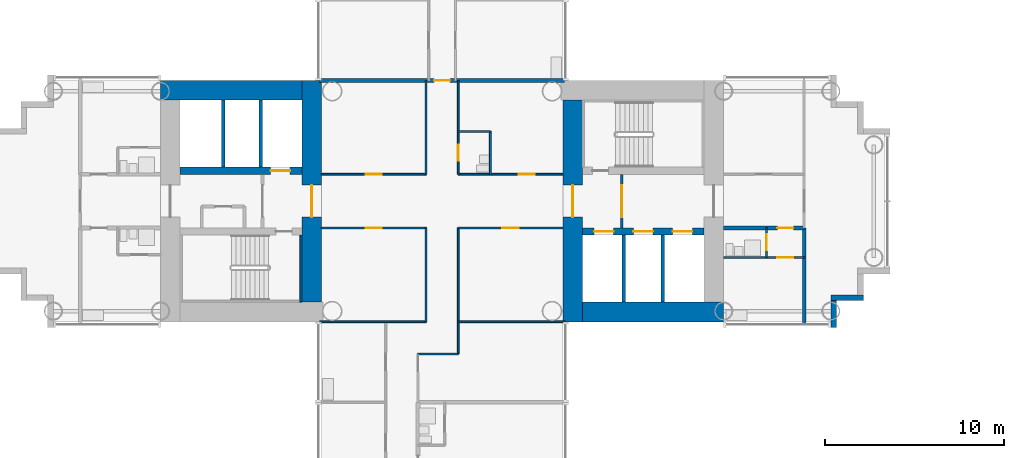
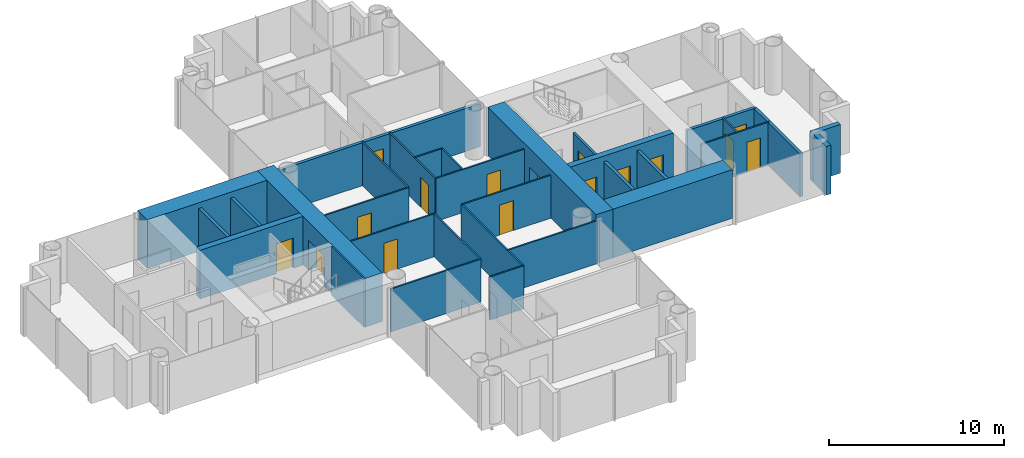
# One storey, part 10 of 21: 32 walls, 16 doors, 16 openings.
"""IFC4 building model written with IfcOpenShell, lengths in metres."""

import ifcopenshell
import ifcopenshell.guid

model = None  # the IFC model being written
_history = None  # IfcOwnerHistory: only IFC2X3 demands one
_inside = {}  # id of a spatial element -> (the spatial element, [elements in it])
_under = {}  # id of a project, library or spatial element -> (it, [spatial elements below it])
_declared = {}  # id of a project -> (the project, [libraries it declares])
_typed = {}  # id of a type object -> (the type object, [elements of that type])
_made_of = {}  # id of a material, layer set ... -> (it, [elements and type objects made of it])


def new_model(schema):
    """Start an empty IFC model of exactly this schema.

    Asked for "IFC4X3", IfcOpenShell would pick the latest addendum, in which some entities
    have other attributes; the version numbers below select the first issue.
    IFC2X3 requires an IfcOwnerHistory on every rooted entity: one is made here for all.
    """
    global model, _history
    if schema == "IFC4X3":
        model = ifcopenshell.file(schema_version=(4, 3, 0, 0))
    else:
        model = ifcopenshell.file(schema=schema)
    _inside.clear()
    _under.clear()
    _declared.clear()
    _typed.clear()
    _made_of.clear()
    _history = None
    if model.schema == "IFC2X3":
        org = make("IfcOrganization", Name="unknown")
        user = make(
            "IfcPersonAndOrganization",
            ThePerson=make("IfcPerson", FamilyName="unknown"),
            TheOrganization=org,
        )
        app = make(
            "IfcApplication",
            ApplicationDeveloper=org,
            Version="unknown",
            ApplicationFullName="unknown",
            ApplicationIdentifier="unknown",
        )
        _history = make(
            "IfcOwnerHistory",
            OwningUser=user,
            OwningApplication=app,
            ChangeAction="ADDED",
            CreationDate=0,
        )
    return model


def make(cls, **values):
    """One entity of the class cls with the attributes given. An attribute that is None is left unset."""
    return model.create_entity(
        cls, **{name: value for name, value in values.items() if value is not None}
    )


def rooted(cls, **values):
    """An entity with a GlobalId (a new one), such as an element, a storey or a relation."""
    return make(cls, GlobalId=ifcopenshell.guid.new(), OwnerHistory=_history, **values)


def si_unit(unit_type, name, prefix=None):
    """IfcSIUnit, for example si_unit("LENGTHUNIT", "METRE", prefix="MILLI")."""
    return make("IfcSIUnit", UnitType=unit_type, Prefix=prefix, Name=name)


def assignment(units):
    """IfcUnitAssignment: the units of a project."""
    return None if units is None else make("IfcUnitAssignment", Units=units)


def point(xyz):
    """IfcCartesianPoint."""
    return None if xyz is None else make("IfcCartesianPoint", Coordinates=xyz)


def direction(xyz):
    """IfcDirection."""
    return None if xyz is None else make("IfcDirection", DirectionRatios=xyz)


def frame(location, z_axis=None, x_axis=None):
    """IfcAxis2Placement3D, a coordinate frame: its origin and axes. An axis left out is left unset."""
    return make(
        "IfcAxis2Placement3D",
        Location=point(location),
        Axis=direction(z_axis),
        RefDirection=direction(x_axis),
    )


def frame_2d(location, x_axis=None):
    """IfcAxis2Placement2D, a coordinate frame in the plane: its origin and x axis."""
    return make(
        "IfcAxis2Placement2D", Location=point(location), RefDirection=direction(x_axis)
    )


def origin():
    """The frame at (0, 0, 0) with its axes left unset."""
    return frame((0.0, 0.0, 0.0))


def place(relative_to, where):
    """IfcLocalPlacement: puts the frame where relative to a parent placement (None: the world)."""
    return make(
        "IfcLocalPlacement", PlacementRelTo=relative_to, RelativePlacement=where
    )


def context(
    kind, dimensions, precision=None, world=None, true_north=None, identifier=None
):
    """IfcGeometricRepresentationContext, for example the 3D "Model" context."""
    return make(
        "IfcGeometricRepresentationContext",
        ContextIdentifier=identifier,
        ContextType=kind,
        CoordinateSpaceDimension=dimensions,
        Precision=precision,
        WorldCoordinateSystem=world,
        TrueNorth=true_north,
    )


def subcontext(parent, identifier, kind, view, scale=None):
    """IfcGeometricRepresentationSubContext, for example "Body" below "Model"."""
    return make(
        "IfcGeometricRepresentationSubContext",
        ContextIdentifier=identifier,
        ContextType=kind,
        ParentContext=parent,
        TargetScale=scale,
        TargetView=view,
    )


def project(units=None, contexts=None):
    """IfcProject with its units and contexts."""
    return rooted(
        "IfcProject",
        Name="project",
        RepresentationContexts=contexts,
        UnitsInContext=assignment(units),
    )


def spatial(cls, under=None, at=None, **own):
    """A site, building, storey or space (cls), placed at a placement, below another one or the project."""
    s = rooted(cls, ObjectPlacement=at, **own)
    if under is not None:
        _under.setdefault(under.id(), (under, []))[1].append(s)
    return s


def profile(cls, at=None, kind="AREA", **sizes):
    """A parametric profile (cls). Its sizes go by their IFC names, for example OverallWidth=200.0."""
    return make(cls, ProfileType=kind, Position=at, **sizes)


def rectangle(**sizes):
    """IfcRectangleProfileDef."""
    return profile("IfcRectangleProfileDef", **sizes)


def extrude(swept, where, along, depth):
    """IfcExtrudedAreaSolid: the profile swept, set in the frame where, extruded along a direction by depth."""
    return make(
        "IfcExtrudedAreaSolid",
        SweptArea=swept,
        Position=where,
        ExtrudedDirection=direction(along),
        Depth=depth,
    )


def shape(context_of_items, identifier, shape_type, items):
    """IfcShapeRepresentation: the items that make up one representation, for example the "Body"."""
    return make(
        "IfcShapeRepresentation",
        ContextOfItems=context_of_items,
        RepresentationIdentifier=identifier,
        RepresentationType=shape_type,
        Items=items,
    )


def material(Name=None, Category=None):
    """IfcMaterial."""
    return make("IfcMaterial", Name=Name, Category=Category)


def layer(
    of_material, thickness, ventilated=None, Name=None, Category=None, Priority=None
):
    """IfcMaterialLayer: one layer of a wall or slab, of a material (None: an air gap)."""
    return make(
        "IfcMaterialLayer",
        Material=of_material,
        LayerThickness=thickness,
        IsVentilated=ventilated,
        Name=Name,
        Category=Category,
        Priority=Priority,
    )


def layer_set(layers, Name=None):
    """IfcMaterialLayerSet."""
    return make("IfcMaterialLayerSet", MaterialLayers=layers, LayerSetName=Name)


def made_of(thing, what):
    """Note that an element or type object is made of a material, layer set ...; save() writes the relation."""
    if what is not None:
        _made_of.setdefault(what.id(), (what, []))[1].append(thing)
    return thing


def type_object(cls, material=None, **own):
    """A type object (cls), such as IfcWallType, which elements share."""
    return made_of(rooted(cls, **own), material)


def element(
    cls,
    number,
    at=None,
    inside=None,
    cuts=None,
    type_object=None,
    material=None,
    context=None,
    identifier="Body",
    shape_type=None,
    held_by="IfcProductDefinitionShape",
    body=None,
    shapes=None,
    **own,
):
    """One element of the class cls, such as IfcWall. Its Tag is "e" and its number.

    at: its placement. inside: the storey or other place that contains it. cuts: it is an
    opening in that element (IfcRelVoidsElement). A single representation is given by context,
    identifier, shape_type and body (its items); several are given by shapes. held_by: the class
    of the entity that holds the representations. save() writes the other relations.
    """
    e = rooted(cls, Tag="e%d" % number, ObjectPlacement=at, **own)
    if body is not None:
        shapes = [shape(context, identifier, shape_type, body)]
    if shapes is not None:
        e.Representation = make(held_by, Representations=shapes)
    if inside is not None:
        _inside.setdefault(inside.id(), (inside, []))[1].append(e)
    if cuts is not None:
        rooted(
            "IfcRelVoidsElement", RelatingBuildingElement=cuts, RelatedOpeningElement=e
        )
    if type_object is not None:
        _typed.setdefault(type_object.id(), (type_object, []))[1].append(e)
    return made_of(e, material)


def fill(opening, filler):
    """IfcRelFillsElement: the door or window that sits in an opening."""
    return rooted(
        "IfcRelFillsElement",
        RelatingOpeningElement=opening,
        RelatedBuildingElement=filler,
    )


def aggregate(whole, parts):
    """IfcRelAggregates: a whole, such as a stair, and the parts it consists of."""
    return rooted("IfcRelAggregates", RelatingObject=whole, RelatedObjects=parts)


def save(model, path):
    """Write the relations noted so far, then the file.

    IfcRelAggregates (storeys below a building ...), IfcRelContainedInSpatialStructure (elements
    in a storey), IfcRelDefinesByType, IfcRelAssociatesMaterial and IfcRelDeclares: one each for
    every whole, place, type object, material and project.
    """
    for whole, parts in _under.values():
        aggregate(whole, parts)
    for where, things in _inside.values():
        rooted(
            "IfcRelContainedInSpatialStructure",
            RelatedElements=things,
            RelatingStructure=where,
        )
    for kind, things in _typed.values():
        rooted("IfcRelDefinesByType", RelatedObjects=things, RelatingType=kind)
    for what, things in _made_of.values():
        rooted("IfcRelAssociatesMaterial", RelatedObjects=things, RelatingMaterial=what)
    for by, libraries in _declared.values():
        rooted("IfcRelDeclares", RelatingContext=by, RelatedDefinitions=libraries)
    model.write(path)


model = new_model("IFC4")

# Units and contexts
model_context = context("Model", 3, precision=1e-05, world=origin(), true_north=direction((0.0, 1.0)))
body_context = subcontext(model_context, "Body", "Model", "MODEL_VIEW")
ifc_project = project(units=[si_unit("LENGTHUNIT", "METRE"), si_unit("AREAUNIT", "SQUARE_METRE"), si_unit("VOLUMEUNIT", "CUBIC_METRE"), si_unit("PLANEANGLEUNIT", "RADIAN"), si_unit("MASSUNIT", "GRAM", prefix="KILO")], contexts=[model_context])

# Site, building, storey
site_placement = place(None, origin())
site = spatial("IfcSite", under=ifc_project, at=site_placement, CompositionType="ELEMENT")
building_placement = place(site_placement, origin())
building = spatial("IfcBuilding", under=site, at=building_placement, Name="Ipe Terrace Towers", CompositionType="ELEMENT")
storey_placement = place(building_placement, frame((0.0, 0.0, 27.89990234375)))
storey = spatial("IfcBuildingStorey", under=building, at=storey_placement, Name="L06", CompositionType="ELEMENT", Elevation=27.89990234375)

# Walls
ifc_material_1 = material(Name="Concrete C40/50 with buff precast cladding", Category="concrete")
ifc_layer_1 = layer(ifc_material_1, 0.320068359375)
ifc_layer_set_1 = layer_set([ifc_layer_1], Name="BUFF CLADDING WALL 320")
wall_type_1 = type_object("IfcWallType", Name="BUFF CLADDING WALL 320", PredefinedType="STANDARD", material=ifc_layer_set_1)
wall_1_placement = place(storey_placement, frame((-14.090087890625, -7.070068359375, -0.2998046875), z_axis=(0.0, 0.0, 1.0), x_axis=(0.0, 1.0, 0.0)))
element("IfcWall", 1, at=wall_1_placement, inside=storey, type_object=wall_type_1, Name="T1-W-L06-21a wall", PredefinedType="STANDARD", context=body_context, shape_type="SweptSolid", body=[
    extrude(rectangle(XDim=1.5, YDim=0.320068359375, at=frame_2d((0.75, 0.0))), origin(), (0.0, 0.0, 1.0), 3.39990234375),
])
wall_2_placement = place(storey_placement, frame((-14.25, -5.409912109375, -0.2998046875), z_axis=(0.0, 0.0, 1.0), x_axis=(1.0, 0.0, 0.0)))
element("IfcWall", 2, at=wall_2_placement, inside=storey, type_object=wall_type_1, Name="T1-W-L06-22a wall", PredefinedType="STANDARD", context=body_context, shape_type="SweptSolid", body=[
    extrude(rectangle(XDim=1.820068359375, YDim=0.320068359375, at=frame_2d((0.91015625, 0.0))), origin(), (0.0, 0.0, 1.0), 3.39990234375),
])
ifc_material_2 = material(Name="Gypsum board partition", Category="plasterboard")
ifc_layer_2 = layer(ifc_material_2, 0.10009765625)
ifc_layer_set_2 = layer_set([ifc_layer_2], Name="Gypsum board partition 100 mm")
wall_type_2 = type_object("IfcWallType", Name="Gypsum board partition 100 mm", PredefinedType="PARTITIONING", material=ifc_layer_set_2)
for number, where, z_axis, x_axis, name in (
    (3, (-36.89990234375, -6.75, 0.0), (0.0, 0.0, 1.0), (0.0, 1.0, 0.0), "Gypsum board partition T1 L06 W10"),
    (4, (-36.89990234375, 1.5, 0.0), (0.0, 0.0, 1.0), (0.0, 1.0, 0.0), "Gypsum board partition T1 L06 W11"),
):
    element("IfcWall", number, at=place(storey_placement, frame(where, z_axis=z_axis, x_axis=x_axis)), inside=storey, type_object=wall_type_2, Name=name, PredefinedType="PARTITIONING", context=body_context, shape_type="SweptSolid", body=[
        extrude(rectangle(XDim=5.25, YDim=0.10009765625, at=frame_2d((2.625, 0.0))), origin(), (0.0, 0.0, 1.0), 3.0),
    ])
wall_3_placement = place(storey_placement, frame((-35.10009765625, -8.550048828125, 0.0), z_axis=(0.0, 0.0, 1.0), x_axis=(0.0, 1.0, 0.0)))
element("IfcWall", 5, at=wall_3_placement, inside=storey, type_object=wall_type_2, Name="Gypsum board partition T1 L06 W15", PredefinedType="PARTITIONING", context=body_context, shape_type="SweptSolid", body=[
    extrude(rectangle(XDim=7.050048828125, YDim=0.10009765625, at=frame_2d((3.52490234375, 0.0))), origin(), (0.0, 0.0, 1.0), 3.0),
])

# Wall, opening, door
wall_4_placement = place(storey_placement, frame((-35.10009765625, 1.5, 0.0), z_axis=(0.0, 0.0, 1.0), x_axis=(0.0, 1.0, 0.0)))
wall_4 = element("IfcWall", 6, at=wall_4_placement, inside=storey, type_object=wall_type_2, Name="Gypsum board partition T1 L06 W16", PredefinedType="PARTITIONING", context=body_context, shape_type="SweptSolid", body=[
    extrude(rectangle(XDim=5.25, YDim=0.10009765625, at=frame_2d((2.625, 0.0))), origin(), (0.0, 0.0, 1.0), 3.0),
])
opening_1_placement = place(wall_4_placement, frame((0.75, 0.0, 0.0)))
opening_1 = element("IfcOpeningElement", 7, at=opening_1_placement, cuts=wall_4, Name="Opening T1-Z1A-01", PredefinedType="OPENING", context=body_context, shape_type="SweptSolid", body=[
    extrude(rectangle(XDim=0.89990234375, YDim=2.10009765625, at=frame_2d((0.449951171875, 1.050048828125))), frame((0.0, 0.06005859375, 0.0), z_axis=(0.0, -1.0, 0.0), x_axis=(1.0, 0.0, 0.0)), (0.0, 0.0, 1.0), 0.1201171875),
])
ifc_material_3 = material(Name="Timber door leaf", Category="wood")
door_type_1 = type_object("IfcDoorType", Name="Bathroom door 900 x 2100", OperationType="NOTDEFINED", PredefinedType="DOOR", material=ifc_material_3)
door_1_placement = place(opening_1_placement, origin())
door_1 = element("IfcDoor", 8, at=door_1_placement, inside=storey, type_object=door_type_1, Name="Bathroom door T1-Z1A-01", OperationType="SINGLE_SWING_LEFT", OverallHeight=2.10009765625, OverallWidth=0.89990234375, PredefinedType="DOOR", context=body_context, shape_type="SweptSolid", body=[
    extrude(rectangle(XDim=0.89990234375, YDim=2.10009765625, at=frame_2d((0.449951171875, 1.050048828125))), frame((0.0, 0.02490234375, 0.0), z_axis=(0.0, -1.0, 0.0), x_axis=(1.0, 0.0, 0.0)), (0.0, 0.0, 1.0), 0.050048828125),
])
fill(opening_1, door_1)

# Wall
wall_5_placement = place(storey_placement, frame((-33.300048828125, 1.5, 0.0), z_axis=(0.0, 0.0, 1.0), x_axis=(0.0, 1.0, 0.0)))
element("IfcWall", 9, at=wall_5_placement, inside=storey, type_object=wall_type_2, Name="Gypsum board partition T1 L06 W18", PredefinedType="PARTITIONING", context=body_context, shape_type="SweptSolid", body=[
    extrude(rectangle(XDim=2.39990234375, YDim=0.10009765625, at=frame_2d((1.199951171875, 0.0))), origin(), (0.0, 0.0, 1.0), 3.0),
])

# Wall, opening, door
wall_6_placement = place(storey_placement, frame((-17.85009765625, -3.14990234375, 0.0), z_axis=(0.0, 0.0, 1.0), x_axis=(0.0, 1.0, 0.0)))
wall_6 = element("IfcWall", 10, at=wall_6_placement, inside=storey, type_object=wall_type_2, Name="Gypsum board partition T1 L06 W19", PredefinedType="PARTITIONING", context=body_context, shape_type="SweptSolid", body=[
    extrude(rectangle(XDim=1.64990234375, YDim=0.10009765625, at=frame_2d((0.824951171875, 0.0))), origin(), (0.0, 0.0, 1.0), 3.0),
])
opening_2_placement = place(wall_6_placement, frame((0.39990234375, 0.0, 0.0)))
opening_2 = element("IfcOpeningElement", 11, at=opening_2_placement, cuts=wall_6, Name="Opening T1-Z1A-25", PredefinedType="OPENING", context=body_context, shape_type="SweptSolid", body=[
    extrude(rectangle(XDim=0.89990234375, YDim=2.10009765625, at=frame_2d((0.449951171875, 1.050048828125))), frame((0.0, 0.06005859375, 0.0), z_axis=(0.0, -1.0, 0.0), x_axis=(1.0, 0.0, 0.0)), (0.0, 0.0, 1.0), 0.1201171875),
])
door_2_placement = place(opening_2_placement, origin())
door_2 = element("IfcDoor", 12, at=door_2_placement, inside=storey, type_object=door_type_1, Name="Bathroom door T1-Z1A-25", OperationType="SINGLE_SWING_LEFT", OverallHeight=2.10009765625, OverallWidth=0.89990234375, PredefinedType="DOOR", context=body_context, shape_type="SweptSolid", body=[
    extrude(rectangle(XDim=0.89990234375, YDim=2.10009765625, at=frame_2d((0.449951171875, 1.050048828125))), frame((0.0, 0.02490234375, 0.0), z_axis=(0.0, -1.0, 0.0), x_axis=(1.0, 0.0, 0.0)), (0.0, 0.0, 1.0), 0.050048828125),
])
fill(opening_2, door_2)

# Walls
wall_7_placement = place(storey_placement, frame((-37.35009765625, -8.550048828125, 0.0), z_axis=(0.0, 0.0, 1.0), x_axis=(1.0, 0.0, 0.0)))
element("IfcWall", 13, at=wall_7_placement, inside=storey, type_object=wall_type_2, Name="Gypsum board partition T1 L06 W27", PredefinedType="PARTITIONING", context=body_context, shape_type="SweptSolid", body=[
    extrude(rectangle(XDim=2.25, YDim=0.10009765625, at=frame_2d((1.125, 0.0))), origin(), (0.0, 0.0, 1.0), 3.0),
])
for number, where, z_axis, x_axis, name in (
    (14, (-42.85009765625, -6.75, 0.0), (0.0, 0.0, 1.0), (1.0, 0.0, 0.0), "Gypsum board partition T1 L06 W28"),
    (15, (-35.10009765625, -6.75, 0.0), (0.0, 0.0, 1.0), (1.0, 0.0, 0.0), "Gypsum board partition T1 L06 W29"),
):
    element("IfcWall", number, at=place(storey_placement, frame(where, z_axis=z_axis, x_axis=x_axis)), inside=storey, type_object=wall_type_2, Name=name, PredefinedType="PARTITIONING", context=body_context, shape_type="SweptSolid", body=[
        extrude(rectangle(XDim=5.9501953125, YDim=0.10009765625, at=frame_2d((2.97509765625, 0.0))), origin(), (0.0, 0.0, 1.0), 3.0),
    ])

# Wall, opening, door
wall_8_placement = place(storey_placement, frame((-20.25, -3.14990234375, 0.0), z_axis=(0.0, 0.0, 1.0), x_axis=(1.0, 0.0, 0.0)))
wall_8 = element("IfcWall", 16, at=wall_8_placement, inside=storey, type_object=wall_type_2, Name="Gypsum board partition T1 L06 W30", PredefinedType="PARTITIONING", context=body_context, shape_type="SweptSolid", body=[
    extrude(rectangle(XDim=4.5, YDim=0.10009765625, at=frame_2d((2.25, 0.0))), origin(), (0.0, 0.0, 1.0), 3.0),
])
opening_3_placement = place(wall_8_placement, frame((3.0, 0.0, 0.0)))
opening_3 = element("IfcOpeningElement", 17, at=opening_3_placement, cuts=wall_8, Name="Opening T1-Z1A-24", PredefinedType="OPENING", context=body_context, shape_type="SweptSolid", body=[
    extrude(rectangle(XDim=0.89990234375, YDim=2.10009765625, at=frame_2d((0.449951171875, 1.050048828125))), frame((0.0, 0.06005859375, 0.0), z_axis=(0.0, -1.0, 0.0), x_axis=(1.0, 0.0, 0.0)), (0.0, 0.0, 1.0), 0.1201171875),
])
ifc_material_4 = material(Name="Timber door leaf", Category="wood")
door_type_2 = type_object("IfcDoorType", Name="Bedroom door 900 x 2100", OperationType="NOTDEFINED", PredefinedType="DOOR", material=ifc_material_4)
door_3_placement = place(opening_3_placement, origin())
door_3 = element("IfcDoor", 18, at=door_3_placement, inside=storey, type_object=door_type_2, Name="Bedroom door T1-Z1A-24", OperationType="SINGLE_SWING_RIGHT", OverallHeight=2.10009765625, OverallWidth=0.89990234375, PredefinedType="DOOR", context=body_context, shape_type="SweptSolid", body=[
    extrude(rectangle(XDim=0.89990234375, YDim=2.10009765625, at=frame_2d((0.449951171875, 1.050048828125))), frame((0.0, 0.02490234375, 0.0), z_axis=(0.0, -1.0, 0.0), x_axis=(1.0, 0.0, 0.0)), (0.0, 0.0, 1.0), 0.050048828125),
])
fill(opening_3, door_3)

wall_9_placement = place(storey_placement, frame((-42.75, -1.5, 0.0), z_axis=(0.0, 0.0, 1.0), x_axis=(1.0, 0.0, 0.0)))
wall_9 = element("IfcWall", 19, at=wall_9_placement, inside=storey, type_object=wall_type_2, Name="Gypsum board partition T1 L06 W32", PredefinedType="PARTITIONING", context=body_context, shape_type="SweptSolid", body=[
    extrude(rectangle(XDim=5.85009765625, YDim=0.10009765625, at=frame_2d((2.925048828125, 0.0))), origin(), (0.0, 0.0, 1.0), 3.0),
])
opening_4_placement = place(wall_9_placement, frame((2.47509765625, 0.0, 0.0)))
opening_4 = element("IfcOpeningElement", 20, at=opening_4_placement, cuts=wall_9, Name="Opening T1-Z1A-04", PredefinedType="OPENING", context=body_context, shape_type="SweptSolid", body=[
    extrude(rectangle(XDim=0.89990234375, YDim=2.10009765625, at=frame_2d((0.449951171875, 1.050048828125))), frame((0.0, 0.06005859375, 0.0), z_axis=(0.0, -1.0, 0.0), x_axis=(1.0, 0.0, 0.0)), (0.0, 0.0, 1.0), 0.1201171875),
])
ifc_material_5 = material(Name="Timber door leaf", Category="wood")
door_type_3 = type_object("IfcDoorType", Name="Lounge door 900 x 2100", OperationType="NOTDEFINED", PredefinedType="DOOR", material=ifc_material_5)
door_4_placement = place(opening_4_placement, origin())
door_4 = element("IfcDoor", 21, at=door_4_placement, inside=storey, type_object=door_type_3, Name="Lounge door T1-Z1A-04", OperationType="SINGLE_SWING_LEFT", OverallHeight=2.10009765625, OverallWidth=0.89990234375, PredefinedType="DOOR", context=body_context, shape_type="SweptSolid", body=[
    extrude(rectangle(XDim=0.89990234375, YDim=2.10009765625, at=frame_2d((0.449951171875, 1.050048828125))), frame((0.0, 0.02490234375, 0.0), z_axis=(0.0, -1.0, 0.0), x_axis=(1.0, 0.0, 0.0)), (0.0, 0.0, 1.0), 0.050048828125),
])
fill(opening_4, door_4)

wall_10_placement = place(storey_placement, frame((-35.10009765625, -1.5, 0.0), z_axis=(0.0, 0.0, 1.0), x_axis=(1.0, 0.0, 0.0)))
wall_10 = element("IfcWall", 22, at=wall_10_placement, inside=storey, type_object=wall_type_2, Name="Gypsum board partition T1 L06 W33", PredefinedType="PARTITIONING", context=body_context, shape_type="SweptSolid", body=[
    extrude(rectangle(XDim=5.85009765625, YDim=0.10009765625, at=frame_2d((2.925048828125, 0.0))), origin(), (0.0, 0.0, 1.0), 3.0),
])
opening_5_placement = place(wall_10_placement, frame((2.47509765625, 0.0, 0.0)))
opening_5 = element("IfcOpeningElement", 23, at=opening_5_placement, cuts=wall_10, Name="Opening T1-Z1A-05", PredefinedType="OPENING", context=body_context, shape_type="SweptSolid", body=[
    extrude(rectangle(XDim=0.89990234375, YDim=2.10009765625, at=frame_2d((0.449951171875, 1.050048828125))), frame((0.0, 0.06005859375, 0.0), z_axis=(0.0, -1.0, 0.0), x_axis=(1.0, 0.0, 0.0)), (0.0, 0.0, 1.0), 0.1201171875),
])
door_5_placement = place(opening_5_placement, origin())
door_5 = element("IfcDoor", 24, at=door_5_placement, inside=storey, type_object=door_type_3, Name="Lounge door T1-Z1A-05", OperationType="SINGLE_SWING_RIGHT", OverallHeight=2.10009765625, OverallWidth=0.89990234375, PredefinedType="DOOR", context=body_context, shape_type="SweptSolid", body=[
    extrude(rectangle(XDim=0.89990234375, YDim=2.10009765625, at=frame_2d((0.449951171875, 1.050048828125))), frame((0.0, 0.02490234375, 0.0), z_axis=(0.0, -1.0, 0.0), x_axis=(1.0, 0.0, 0.0)), (0.0, 0.0, 1.0), 0.050048828125),
])
fill(opening_5, door_5)

wall_11_placement = place(storey_placement, frame((-42.75, 1.5, 0.0), z_axis=(0.0, 0.0, 1.0), x_axis=(1.0, 0.0, 0.0)))
wall_11 = element("IfcWall", 25, at=wall_11_placement, inside=storey, type_object=wall_type_2, Name="Gypsum board partition T1 L06 W36", PredefinedType="PARTITIONING", context=body_context, shape_type="SweptSolid", body=[
    extrude(rectangle(XDim=5.85009765625, YDim=0.10009765625, at=frame_2d((2.925048828125, 0.0))), origin(), (0.0, 0.0, 1.0), 3.0),
])
opening_6_placement = place(wall_11_placement, frame((2.47509765625, 0.0, 0.0)))
opening_6 = element("IfcOpeningElement", 26, at=opening_6_placement, cuts=wall_11, Name="Opening T1-Z1A-03", PredefinedType="OPENING", context=body_context, shape_type="SweptSolid", body=[
    extrude(rectangle(XDim=0.89990234375, YDim=2.10009765625, at=frame_2d((0.449951171875, 1.050048828125))), frame((0.0, 0.06005859375, 0.0), z_axis=(0.0, -1.0, 0.0), x_axis=(1.0, 0.0, 0.0)), (0.0, 0.0, 1.0), 0.1201171875),
])
door_6_placement = place(opening_6_placement, origin())
door_6 = element("IfcDoor", 27, at=door_6_placement, inside=storey, type_object=door_type_3, Name="Lounge door T1-Z1A-03", OperationType="SINGLE_SWING_RIGHT", OverallHeight=2.10009765625, OverallWidth=0.89990234375, PredefinedType="DOOR", context=body_context, shape_type="SweptSolid", body=[
    extrude(rectangle(XDim=0.89990234375, YDim=2.10009765625, at=frame_2d((0.449951171875, 1.050048828125))), frame((0.0, 0.02490234375, 0.0), z_axis=(0.0, -1.0, 0.0), x_axis=(1.0, 0.0, 0.0)), (0.0, 0.0, 1.0), 0.050048828125),
])
fill(opening_6, door_6)

wall_12_placement = place(storey_placement, frame((-35.10009765625, 1.5, 0.0), z_axis=(0.0, 0.0, 1.0), x_axis=(1.0, 0.0, 0.0)))
wall_12 = element("IfcWall", 28, at=wall_12_placement, inside=storey, type_object=wall_type_2, Name="Gypsum board partition T1 L06 W37", PredefinedType="PARTITIONING", context=body_context, shape_type="SweptSolid", body=[
    extrude(rectangle(XDim=5.85009765625, YDim=0.10009765625, at=frame_2d((2.925048828125, 0.0))), origin(), (0.0, 0.0, 1.0), 3.0),
])
opening_7_placement = place(wall_12_placement, frame((3.375, 0.0, 0.0)))
opening_7 = element("IfcOpeningElement", 29, at=opening_7_placement, cuts=wall_12, Name="Opening T1-Z1A-02", PredefinedType="OPENING", context=body_context, shape_type="SweptSolid", body=[
    extrude(rectangle(XDim=0.89990234375, YDim=2.10009765625, at=frame_2d((0.449951171875, 1.050048828125))), frame((0.0, 0.06005859375, 0.0), z_axis=(0.0, -1.0, 0.0), x_axis=(1.0, 0.0, 0.0)), (0.0, 0.0, 1.0), 0.1201171875),
])
door_7_placement = place(opening_7_placement, origin())
door_7 = element("IfcDoor", 30, at=door_7_placement, inside=storey, type_object=door_type_3, Name="Lounge door T1-Z1A-02", OperationType="SINGLE_SWING_LEFT", OverallHeight=2.10009765625, OverallWidth=0.89990234375, PredefinedType="DOOR", context=body_context, shape_type="SweptSolid", body=[
    extrude(rectangle(XDim=0.89990234375, YDim=2.10009765625, at=frame_2d((0.449951171875, 1.050048828125))), frame((0.0, 0.02490234375, 0.0), z_axis=(0.0, -1.0, 0.0), x_axis=(1.0, 0.0, 0.0)), (0.0, 0.0, 1.0), 0.050048828125),
])
fill(opening_7, door_7)

# Wall
wall_13_placement = place(storey_placement, frame((-35.10009765625, 3.89990234375, 0.0), z_axis=(0.0, 0.0, 1.0), x_axis=(1.0, 0.0, 0.0)))
element("IfcWall", 31, at=wall_13_placement, inside=storey, type_object=wall_type_2, Name="Gypsum board partition T1 L06 W41", PredefinedType="PARTITIONING", context=body_context, shape_type="SweptSolid", body=[
    extrude(rectangle(XDim=1.800048828125, YDim=0.10009765625, at=frame_2d((0.89990234375, 0.0))), origin(), (0.0, 0.0, 1.0), 3.0),
])

# Wall, opening, door
ifc_material_6 = material(Name="Gypsum board partition", Category="plasterboard")
ifc_layer_3 = layer(ifc_material_6, 0.14990234375)
ifc_layer_set_3 = layer_set([ifc_layer_3], Name="Gypsum board partition 150 mm")
wall_type_3 = type_object("IfcWallType", Name="Gypsum board partition 150 mm", PredefinedType="PARTITIONING", material=ifc_layer_set_3)
wall_14_placement = place(storey_placement, frame((-25.949951171875, -1.5, 0.0), z_axis=(0.0, 0.0, 1.0), x_axis=(0.0, 1.0, 0.0)))
wall_14 = element("IfcWall", 32, at=wall_14_placement, inside=storey, type_object=wall_type_3, Name="Gypsum board partition T1 L06 t1c1-lobby-wall", PredefinedType="PARTITIONING", context=body_context, shape_type="SweptSolid", body=[
    extrude(rectangle(XDim=3.0, YDim=0.14990234375, at=frame_2d((1.5, 0.0))), origin(), (0.0, 0.0, 1.0), 3.0),
])
opening_8_placement = place(wall_14_placement, frame((0.60009765625, 0.0, 0.0)))
opening_8 = element("IfcOpeningElement", 33, at=opening_8_placement, cuts=wall_14, Name="Opening T1C1-VD", PredefinedType="OPENING", context=body_context, shape_type="SweptSolid", body=[
    extrude(rectangle(XDim=1.800048828125, YDim=2.10009765625, at=frame_2d((0.89990234375, 1.050048828125))), frame((0.0, 0.0849609375, 0.0), z_axis=(0.0, -1.0, 0.0), x_axis=(1.0, 0.0, 0.0)), (0.0, 0.0, 1.0), 0.169921875),
])
ifc_material_7 = material(Name="Fire-rated timber door leaf", Category="wood")
door_type_4 = type_object("IfcDoorType", Name="Lobby door 1800 x 2100 FD60", OperationType="NOTDEFINED", PredefinedType="DOOR", material=ifc_material_7)
door_8_placement = place(opening_8_placement, origin())
door_8 = element("IfcDoor", 34, at=door_8_placement, inside=storey, type_object=door_type_4, Name="Lobby door T1C1-VD", OperationType="SINGLE_SWING_LEFT", OverallHeight=2.10009765625, OverallWidth=1.800048828125, PredefinedType="DOOR", context=body_context, shape_type="SweptSolid", body=[
    extrude(rectangle(XDim=1.800048828125, YDim=2.10009765625, at=frame_2d((0.89990234375, 1.050048828125))), frame((0.0, 0.02490234375, 0.0), z_axis=(0.0, -1.0, 0.0), x_axis=(1.0, 0.0, 0.0)), (0.0, 0.0, 1.0), 0.050048828125),
])
fill(opening_8, door_8)

# Walls
ifc_material_8 = material(Name="Gypsum board party wall", Category="plasterboard")
ifc_layer_4 = layer(ifc_material_8, 0.199951171875)
ifc_layer_set_4 = layer_set([ifc_layer_4], Name="Gypsum board party wall 200 mm")
wall_type_4 = type_object("IfcWallType", Name="Gypsum board party wall 200 mm", PredefinedType="SOLIDWALL", material=ifc_layer_set_4)
for number, where, z_axis, x_axis, name in (
    (35, (-25.85009765625, -5.64990234375, 0.0), (0.0, 0.0, 1.0), (0.0, 1.0, 0.0), "Gypsum board party wall T1 L06 t1c1-shaft-div1"),
    (36, (-23.64990234375, -5.64990234375, 0.0), (0.0, 0.0, 1.0), (0.0, 1.0, 0.0), "Gypsum board party wall T1 L06 t1c1-shaft-div2"),
    (37, (-46.14990234375, 5.64990234375, 0.0), (0.0, 0.0, 1.0), (0.0, -1.0, 0.0), "Gypsum board party wall T1 L06 t1c2-shaft-div1"),
    (38, (-48.25, 5.64990234375, 0.0), (0.0, 0.0, 1.0), (0.0, -1.0, 0.0), "Gypsum board party wall T1 L06 t1c2-shaft-div2"),
):
    element("IfcWall", number, at=place(storey_placement, frame(where, z_axis=z_axis, x_axis=x_axis)), inside=storey, type_object=wall_type_4, Name=name, PredefinedType="SOLIDWALL", context=body_context, shape_type="SweptSolid", body=[
        extrude(rectangle(XDim=3.75, YDim=0.199951171875, at=frame_2d((1.875, 0.0))), origin(), (0.0, 0.0, 1.0), 3.0),
    ])
wall_15_placement = place(storey_placement, frame((-15.75, -6.85009765625, 0.0), z_axis=(0.0, 0.0, 1.0), x_axis=(0.0, 1.0, 0.0)))
element("IfcWall", 39, at=wall_15_placement, inside=storey, type_object=wall_type_4, Name="Gypsum board party wall T1 L06 W21", PredefinedType="SOLIDWALL", context=body_context, shape_type="SweptSolid", body=[
    extrude(rectangle(XDim=5.35009765625, YDim=0.199951171875, at=frame_2d((2.675048828125, 0.0))), origin(), (0.0, 0.0, 1.0), 3.0),
])

# Wall, opening, door
wall_16_placement = place(storey_placement, frame((-20.25, -1.5, 0.0), z_axis=(0.0, 0.0, 1.0), x_axis=(1.0, 0.0, 0.0)))
wall_16 = element("IfcWall", 40, at=wall_16_placement, inside=storey, type_object=wall_type_4, Name="Gypsum board party wall T1 L06 W35", PredefinedType="SOLIDWALL", context=body_context, shape_type="SweptSolid", body=[
    extrude(rectangle(XDim=4.5, YDim=0.199951171875, at=frame_2d((2.25, 0.0))), origin(), (0.0, 0.0, 1.0), 3.0),
])
opening_9_placement = place(wall_16_placement, frame((3.0, 0.0, 0.0)))
opening_9 = element("IfcOpeningElement", 41, at=opening_9_placement, cuts=wall_16, Name="Opening T1-Z1A-23", PredefinedType="OPENING", context=body_context, shape_type="SweptSolid", body=[
    extrude(rectangle(XDim=0.89990234375, YDim=2.10009765625, at=frame_2d((0.449951171875, 1.050048828125))), frame((0.0, 0.10986328125, 0.0), z_axis=(0.0, -1.0, 0.0), x_axis=(1.0, 0.0, 0.0)), (0.0, 0.0, 1.0), 0.219970703125),
])
ifc_material_9 = material(Name="Fire-rated timber door leaf", Category="wood")
door_type_5 = type_object("IfcDoorType", Name="Flat entrance door 900 x 2100 FD30S", OperationType="NOTDEFINED", PredefinedType="DOOR", material=ifc_material_9)
door_9_placement = place(opening_9_placement, origin())
door_9 = element("IfcDoor", 42, at=door_9_placement, inside=storey, type_object=door_type_5, Name="Flat entrance door T1-Z1A-23", OperationType="SINGLE_SWING_RIGHT", OverallHeight=2.10009765625, OverallWidth=0.89990234375, PredefinedType="DOOR", context=body_context, shape_type="SweptSolid", body=[
    extrude(rectangle(XDim=0.89990234375, YDim=2.10009765625, at=frame_2d((0.449951171875, 1.050048828125))), frame((0.0, 0.02490234375, 0.0), z_axis=(0.0, -1.0, 0.0), x_axis=(1.0, 0.0, 0.0)), (0.0, 0.0, 1.0), 0.050048828125),
])
fill(opening_9, door_9)

wall_17_placement = place(storey_placement, frame((-42.85009765625, 6.75, 0.0), z_axis=(0.0, 0.0, 1.0), x_axis=(1.0, 0.0, 0.0)))
wall_17 = element("IfcWall", 43, at=wall_17_placement, inside=storey, type_object=wall_type_4, Name="Gypsum board party wall T1 L06 W42", PredefinedType="SOLIDWALL", context=body_context, shape_type="SweptSolid", body=[
    extrude(rectangle(XDim=13.7001953125, YDim=0.199951171875, at=frame_2d((6.85009765625, 0.0))), origin(), (0.0, 0.0, 1.0), 3.0),
])
opening_10_placement = place(wall_17_placement, frame((6.39990234375, 0.0, 0.0)))
opening_10 = element("IfcOpeningElement", 44, at=opening_10_placement, cuts=wall_17, Name="Opening T1-Z1A-08", PredefinedType="OPENING", context=body_context, shape_type="SweptSolid", body=[
    extrude(rectangle(XDim=0.89990234375, YDim=2.10009765625, at=frame_2d((0.449951171875, 1.050048828125))), frame((0.0, 0.10986328125, 0.0), z_axis=(0.0, -1.0, 0.0), x_axis=(1.0, 0.0, 0.0)), (0.0, 0.0, 1.0), 0.219970703125),
])
door_10_placement = place(opening_10_placement, origin())
door_10 = element("IfcDoor", 45, at=door_10_placement, inside=storey, type_object=door_type_5, Name="Flat entrance door T1-Z1A-08", OperationType="SINGLE_SWING_LEFT", OverallHeight=2.10009765625, OverallWidth=0.89990234375, PredefinedType="DOOR", context=body_context, shape_type="SweptSolid", body=[
    extrude(rectangle(XDim=0.89990234375, YDim=2.10009765625, at=frame_2d((0.449951171875, 1.050048828125))), frame((0.0, 0.02490234375, 0.0), z_axis=(0.0, -1.0, 0.0), x_axis=(1.0, 0.0, 0.0)), (0.0, 0.0, 1.0), 0.050048828125),
])
fill(opening_10, door_10)

# Walls
ifc_material_10 = material(Name="Concrete C60/75", Category="concrete")
ifc_layer_5 = layer(ifc_material_10, 0.10009765625)
ifc_layer_set_5 = layer_set([ifc_layer_5], Name="RW100 CORE INFILL WALL 100 C60-75")
wall_type_5 = type_object("IfcWallType", Name="RW100 CORE INFILL WALL 100 C60-75", PredefinedType="SHEAR", material=ifc_layer_set_5)
wall_18_placement = place(storey_placement, frame((-43.89990234375, -1.89990234375, 0.0), z_axis=(0.0, 0.0, 1.0), x_axis=(0.0, -1.0, 0.0)))
element("IfcWall", 46, at=wall_18_placement, inside=storey, type_object=wall_type_5, Name="Core infill wall T1-C2-near", PredefinedType="SHEAR", context=body_context, shape_type="SweptSolid", body=[
    extrude(rectangle(XDim=3.75, YDim=0.10009765625, at=frame_2d((1.875, 0.0))), origin(), (0.0, 0.0, 1.0), 3.400146484375),
])
ifc_material_11 = material(Name="Concrete C60/75", Category="concrete")
ifc_layer_6 = layer(ifc_material_11, 1.10009765625)
ifc_layer_set_6 = layer_set([ifc_layer_6], Name="RW1100 CORE WALL 1100 C60-75")
wall_type_6 = type_object("IfcWallType", Name="RW1100 CORE WALL 1100 C60-75", PredefinedType="SHEAR", material=ifc_layer_set_6)
wall_19_placement = place(storey_placement, frame((-28.14990234375, -6.199951171875, 0.0), z_axis=(0.0, 0.0, 1.0), x_axis=(1.0, 0.0, 0.0)))
element("IfcWall", 47, at=wall_19_placement, inside=storey, type_object=wall_type_6, Name="Core wall T1-C1-Z1-W01", PredefinedType="SHEAR", context=body_context, shape_type="SweptSolid", body=[
    extrude(rectangle(XDim=7.89990234375, YDim=1.10009765625, at=frame_2d((3.949951171875, 0.0))), origin(), (0.0, 0.0, 1.0), 3.400146484375),
])

# Wall, opening, door
wall_20_placement = place(storey_placement, frame((-28.699951171875, 5.64990234375, 0.0), z_axis=(0.0, 0.0, 1.0), x_axis=(0.0, -1.0, 0.0)))
wall_20 = element("IfcWall", 48, at=wall_20_placement, inside=storey, type_object=wall_type_6, Name="Core wall T1-C1-Z1-W04", PredefinedType="SHEAR", context=body_context, shape_type="SweptSolid", body=[
    extrude(rectangle(XDim=12.39990234375, YDim=1.10009765625, at=frame_2d((6.199951171875, 0.0))), origin(), (0.0, 0.0, 1.0), 3.400146484375),
])
opening_11_placement = place(wall_20_placement, frame((4.75, 0.0, 0.0)))
opening_11 = element("IfcOpeningElement", 49, at=opening_11_placement, cuts=wall_20, Name="Opening T1C1-ND", PredefinedType="OPENING", context=body_context, shape_type="SweptSolid", body=[
    extrude(rectangle(XDim=1.800048828125, YDim=2.10009765625, at=frame_2d((0.89990234375, 1.050048828125))), frame((0.0, 0.56005859375, 0.0), z_axis=(0.0, -1.0, 0.0), x_axis=(1.0, 0.0, 0.0)), (0.0, 0.0, 1.0), 1.1201171875),
])
ifc_material_12 = material(Name="Fire-rated timber door leaf", Category="wood")
door_type_6 = type_object("IfcDoorType", Name="Fire door 1800 x 2100 FD30S", OperationType="NOTDEFINED", PredefinedType="DOOR", material=ifc_material_12)
door_11_placement = place(opening_11_placement, origin())
door_11 = element("IfcDoor", 50, at=door_11_placement, inside=storey, type_object=door_type_6, Name="Fire door T1C1-ND", OperationType="SINGLE_SWING_LEFT", OverallHeight=2.10009765625, OverallWidth=1.800048828125, PredefinedType="DOOR", context=body_context, shape_type="SweptSolid", body=[
    extrude(rectangle(XDim=1.800048828125, YDim=2.10009765625, at=frame_2d((0.89990234375, 1.050048828125))), frame((0.0, 0.02490234375, 0.0), z_axis=(0.0, -1.0, 0.0), x_axis=(1.0, 0.0, 0.0)), (0.0, 0.0, 1.0), 0.050048828125),
])
fill(opening_11, door_11)

wall_21_placement = place(storey_placement, frame((-43.300048828125, -5.64990234375, 0.0), z_axis=(0.0, 0.0, 1.0), x_axis=(0.0, 1.0, 0.0)))
wall_21 = element("IfcWall", 51, at=wall_21_placement, inside=storey, type_object=wall_type_6, Name="Core wall T1-C2-Z1-W02", PredefinedType="SHEAR", context=body_context, shape_type="SweptSolid", body=[
    extrude(rectangle(XDim=12.39990234375, YDim=1.10009765625, at=frame_2d((6.199951171875, 0.0))), origin(), (0.0, 0.0, 1.0), 3.400146484375),
])
opening_12_placement = place(wall_21_placement, frame((4.75, 0.0, 0.0)))
opening_12 = element("IfcOpeningElement", 52, at=opening_12_placement, cuts=wall_21, Name="Opening T1C2-ND", PredefinedType="OPENING", context=body_context, shape_type="SweptSolid", body=[
    extrude(rectangle(XDim=1.800048828125, YDim=2.10009765625, at=frame_2d((0.89990234375, 1.050048828125))), frame((0.0, 0.56005859375, 0.0), z_axis=(0.0, -1.0, 0.0), x_axis=(1.0, 0.0, 0.0)), (0.0, 0.0, 1.0), 1.1201171875),
])
door_12_placement = place(opening_12_placement, origin())
door_12 = element("IfcDoor", 53, at=door_12_placement, inside=storey, type_object=door_type_6, Name="Fire door T1C2-ND", OperationType="SINGLE_SWING_LEFT", OverallHeight=2.10009765625, OverallWidth=1.800048828125, PredefinedType="DOOR", context=body_context, shape_type="SweptSolid", body=[
    extrude(rectangle(XDim=1.800048828125, YDim=2.10009765625, at=frame_2d((0.89990234375, 1.050048828125))), frame((0.0, 0.02490234375, 0.0), z_axis=(0.0, -1.0, 0.0), x_axis=(1.0, 0.0, 0.0)), (0.0, 0.0, 1.0), 0.050048828125),
])
fill(opening_12, door_12)

# Wall
wall_22_placement = place(storey_placement, frame((-43.85009765625, 6.199951171875, 0.0), z_axis=(0.0, 0.0, 1.0), x_axis=(-1.0, 0.0, 0.0)))
element("IfcWall", 54, at=wall_22_placement, inside=storey, type_object=wall_type_6, Name="Core wall T1-C2-Z1-W03", PredefinedType="SHEAR", context=body_context, shape_type="SweptSolid", body=[
    extrude(rectangle(XDim=7.89990234375, YDim=1.10009765625, at=frame_2d((3.949951171875, 0.0))), origin(), (0.0, 0.0, 1.0), 3.400146484375),
])

# Wall, openings, doors
ifc_material_13 = material(Name="Concrete C60/75", Category="concrete")
ifc_layer_7 = layer(ifc_material_13, 0.39990234375)
ifc_layer_set_7 = layer_set([ifc_layer_7], Name="RW400 CORE SPINE WALL 400 C60-75")
wall_type_7 = type_object("IfcWallType", Name="RW400 CORE SPINE WALL 400 C60-75", PredefinedType="SHEAR", material=ifc_layer_set_7)
wall_23_placement = place(storey_placement, frame((-28.14990234375, -1.699951171875, 0.0), z_axis=(0.0, 0.0, 1.0), x_axis=(1.0, 0.0, 0.0)))
wall_23 = element("IfcWall", 55, at=wall_23_placement, inside=storey, type_object=wall_type_7, Name="Core spine wall T1-C1-Z1-SW1", PredefinedType="SHEAR", context=body_context, shape_type="SweptSolid", body=[
    extrude(rectangle(XDim=6.7998046875, YDim=0.39990234375, at=frame_2d((3.39990234375, 0.0))), origin(), (0.0, 0.0, 1.0), 3.400146484375),
])
opening_13_placement = place(wall_23_placement, frame((0.64990234375, 0.0, 0.0)))
opening_13 = element("IfcOpeningElement", 56, at=opening_13_placement, cuts=wall_23, Name="Opening T1C1-LD1", PredefinedType="OPENING", context=body_context, shape_type="SweptSolid", body=[
    extrude(rectangle(XDim=1.10009765625, YDim=2.10009765625, at=frame_2d((0.550048828125, 1.050048828125))), frame((0.0, 0.2099609375, 0.0), z_axis=(0.0, -1.0, 0.0), x_axis=(1.0, 0.0, 0.0)), (0.0, 0.0, 1.0), 0.419921875),
])
opening_14_placement = place(wall_23_placement, frame((2.85009765625, 0.0, 0.0)))
opening_14 = element("IfcOpeningElement", 57, at=opening_14_placement, cuts=wall_23, Name="Opening T1C1-LD2", PredefinedType="OPENING", context=body_context, shape_type="SweptSolid", body=[
    extrude(rectangle(XDim=1.10009765625, YDim=2.10009765625, at=frame_2d((0.550048828125, 1.050048828125))), frame((0.0, 0.2099609375, 0.0), z_axis=(0.0, -1.0, 0.0), x_axis=(1.0, 0.0, 0.0)), (0.0, 0.0, 1.0), 0.419921875),
])
opening_15_placement = place(wall_23_placement, frame((5.050048828125, 0.0, 0.0)))
opening_15 = element("IfcOpeningElement", 58, at=opening_15_placement, cuts=wall_23, Name="Opening T1C1-LD3", PredefinedType="OPENING", context=body_context, shape_type="SweptSolid", body=[
    extrude(rectangle(XDim=1.10009765625, YDim=2.10009765625, at=frame_2d((0.550048828125, 1.050048828125))), frame((0.0, 0.2099609375, 0.0), z_axis=(0.0, -1.0, 0.0), x_axis=(1.0, 0.0, 0.0)), (0.0, 0.0, 1.0), 0.419921875),
])
ifc_material_14 = material(Name="Fire-rated timber door leaf", Category="wood")
door_type_7 = type_object("IfcDoorType", Name="Sliding door 1100 x 2100 FD60", OperationType="SLIDING_TO_LEFT", PredefinedType="DOOR", material=ifc_material_14)
door_13_placement = place(opening_13_placement, origin())
door_13 = element("IfcDoor", 59, at=door_13_placement, inside=storey, type_object=door_type_7, Name="Sliding door T1C1-LD1", OperationType="SLIDING_TO_LEFT", OverallHeight=2.10009765625, OverallWidth=1.10009765625, PredefinedType="DOOR", context=body_context, shape_type="SweptSolid", body=[
    extrude(rectangle(XDim=1.10009765625, YDim=2.10009765625, at=frame_2d((0.550048828125, 1.050048828125))), frame((0.0, 0.02490234375, 0.0), z_axis=(0.0, -1.0, 0.0), x_axis=(1.0, 0.0, 0.0)), (0.0, 0.0, 1.0), 0.050048828125),
])
fill(opening_13, door_13)
door_14_placement = place(opening_14_placement, origin())
door_14 = element("IfcDoor", 60, at=door_14_placement, inside=storey, type_object=door_type_7, Name="Sliding door T1C1-LD2", OperationType="SLIDING_TO_LEFT", OverallHeight=2.10009765625, OverallWidth=1.10009765625, PredefinedType="DOOR", context=body_context, shape_type="SweptSolid", body=[
    extrude(rectangle(XDim=1.10009765625, YDim=2.10009765625, at=frame_2d((0.550048828125, 1.050048828125))), frame((0.0, 0.02490234375, 0.0), z_axis=(0.0, -1.0, 0.0), x_axis=(1.0, 0.0, 0.0)), (0.0, 0.0, 1.0), 0.050048828125),
])
fill(opening_14, door_14)
door_15_placement = place(opening_15_placement, origin())
door_15 = element("IfcDoor", 61, at=door_15_placement, inside=storey, type_object=door_type_7, Name="Sliding door T1C1-LD3", OperationType="SLIDING_TO_LEFT", OverallHeight=2.10009765625, OverallWidth=1.10009765625, PredefinedType="DOOR", context=body_context, shape_type="SweptSolid", body=[
    extrude(rectangle(XDim=1.10009765625, YDim=2.10009765625, at=frame_2d((0.550048828125, 1.050048828125))), frame((0.0, 0.02490234375, 0.0), z_axis=(0.0, -1.0, 0.0), x_axis=(1.0, 0.0, 0.0)), (0.0, 0.0, 1.0), 0.050048828125),
])
fill(opening_15, door_15)

# Wall, opening, door
wall_24_placement = place(storey_placement, frame((-50.64990234375, 1.699951171875, 0.0), z_axis=(0.0, 0.0, 1.0), x_axis=(1.0, 0.0, 0.0)))
wall_24 = element("IfcWall", 62, at=wall_24_placement, inside=storey, type_object=wall_type_7, Name="Core spine wall T1-C2-Z1-SW2", PredefinedType="SHEAR", context=body_context, shape_type="SweptSolid", body=[
    extrude(rectangle(XDim=6.7998046875, YDim=0.39990234375, at=frame_2d((3.39990234375, 0.0))), origin(), (0.0, 0.0, 1.0), 3.400146484375),
])
opening_16_placement = place(wall_24_placement, frame((5.050048828125, 0.0, 0.0)))
opening_16 = element("IfcOpeningElement", 63, at=opening_16_placement, cuts=wall_24, Name="Opening T1C2-LD1", PredefinedType="OPENING", context=body_context, shape_type="SweptSolid", body=[
    extrude(rectangle(XDim=1.10009765625, YDim=2.10009765625, at=frame_2d((0.550048828125, 1.050048828125))), frame((0.0, 0.2099609375, 0.0), z_axis=(0.0, -1.0, 0.0), x_axis=(1.0, 0.0, 0.0)), (0.0, 0.0, 1.0), 0.419921875),
])
door_16_placement = place(opening_16_placement, origin())
door_16 = element("IfcDoor", 64, at=door_16_placement, inside=storey, type_object=door_type_7, Name="Sliding door T1C2-LD1", OperationType="SLIDING_TO_LEFT", OverallHeight=2.10009765625, OverallWidth=1.10009765625, PredefinedType="DOOR", context=body_context, shape_type="SweptSolid", body=[
    extrude(rectangle(XDim=1.10009765625, YDim=2.10009765625, at=frame_2d((0.550048828125, 1.050048828125))), frame((0.0, 0.02490234375, 0.0), z_axis=(0.0, -1.0, 0.0), x_axis=(1.0, 0.0, 0.0)), (0.0, 0.0, 1.0), 0.050048828125),
])
fill(opening_16, door_16)

save(model, "model.ifc")
